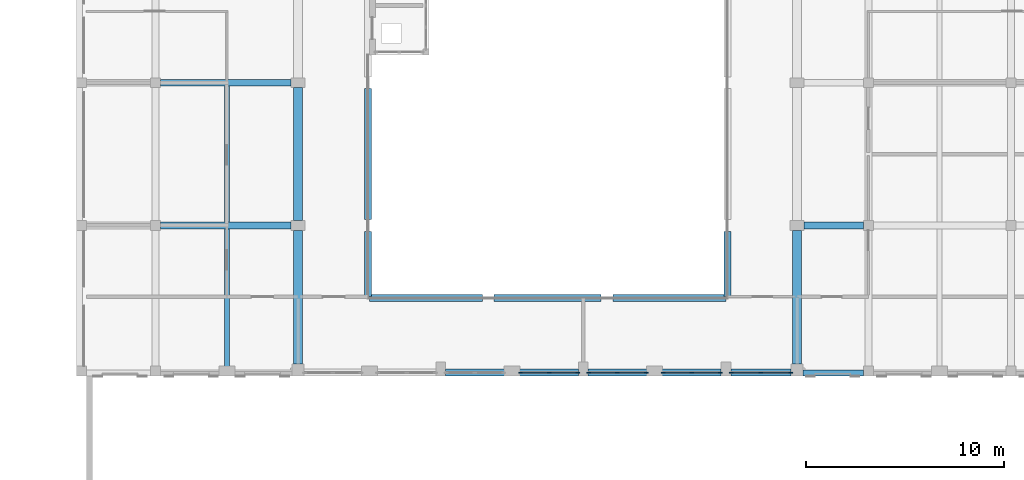
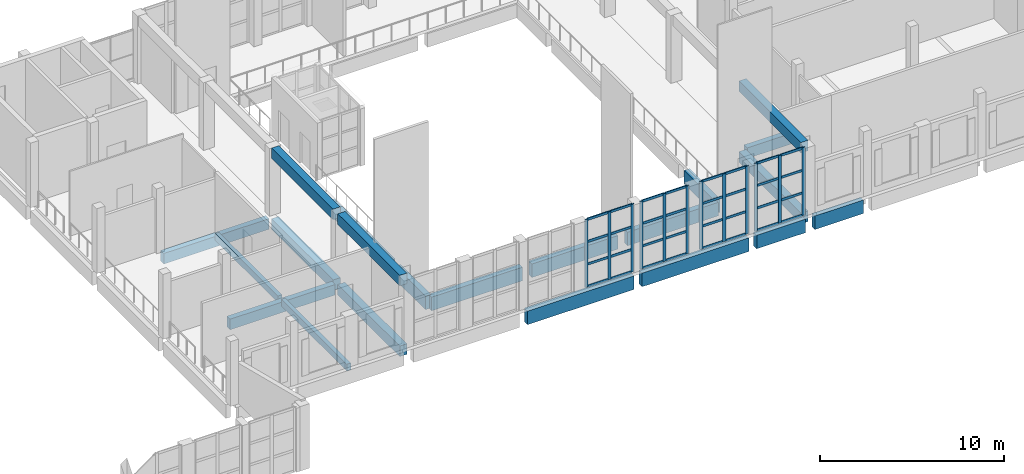
# One storey, part 5 of 54: 44 members, 21 beams, 4 elements without a shape of their own.
"""IFC4 building model written with IfcOpenShell, lengths in metres."""

import ifcopenshell
import ifcopenshell.guid

model = None  # the IFC model being written
_history = None  # IfcOwnerHistory: only IFC2X3 demands one
_inside = {}  # id of a spatial element -> (the spatial element, [elements in it])
_under = {}  # id of a project, library or spatial element -> (it, [spatial elements below it])
_declared = {}  # id of a project -> (the project, [libraries it declares])
_typed = {}  # id of a type object -> (the type object, [elements of that type])
_made_of = {}  # id of a material, layer set ... -> (it, [elements and type objects made of it])


def new_model(schema):
    """Start an empty IFC model of exactly this schema.

    Asked for "IFC4X3", IfcOpenShell would pick the latest addendum, in which some entities
    have other attributes; the version numbers below select the first issue.
    IFC2X3 requires an IfcOwnerHistory on every rooted entity: one is made here for all.
    """
    global model, _history
    if schema == "IFC4X3":
        model = ifcopenshell.file(schema_version=(4, 3, 0, 0))
    else:
        model = ifcopenshell.file(schema=schema)
    _inside.clear()
    _under.clear()
    _declared.clear()
    _typed.clear()
    _made_of.clear()
    _history = None
    if model.schema == "IFC2X3":
        org = make("IfcOrganization", Name="unknown")
        user = make(
            "IfcPersonAndOrganization",
            ThePerson=make("IfcPerson", FamilyName="unknown"),
            TheOrganization=org,
        )
        app = make(
            "IfcApplication",
            ApplicationDeveloper=org,
            Version="unknown",
            ApplicationFullName="unknown",
            ApplicationIdentifier="unknown",
        )
        _history = make(
            "IfcOwnerHistory",
            OwningUser=user,
            OwningApplication=app,
            ChangeAction="ADDED",
            CreationDate=0,
        )
    return model


def make(cls, **values):
    """One entity of the class cls with the attributes given. An attribute that is None is left unset."""
    return model.create_entity(
        cls, **{name: value for name, value in values.items() if value is not None}
    )


def rooted(cls, **values):
    """An entity with a GlobalId (a new one), such as an element, a storey or a relation."""
    return make(cls, GlobalId=ifcopenshell.guid.new(), OwnerHistory=_history, **values)


def si_unit(unit_type, name, prefix=None):
    """IfcSIUnit, for example si_unit("LENGTHUNIT", "METRE", prefix="MILLI")."""
    return make("IfcSIUnit", UnitType=unit_type, Prefix=prefix, Name=name)


def assignment(units):
    """IfcUnitAssignment: the units of a project."""
    return None if units is None else make("IfcUnitAssignment", Units=units)


def point(xyz):
    """IfcCartesianPoint."""
    return None if xyz is None else make("IfcCartesianPoint", Coordinates=xyz)


def direction(xyz):
    """IfcDirection."""
    return None if xyz is None else make("IfcDirection", DirectionRatios=xyz)


def frame(location, z_axis=None, x_axis=None):
    """IfcAxis2Placement3D, a coordinate frame: its origin and axes. An axis left out is left unset."""
    return make(
        "IfcAxis2Placement3D",
        Location=point(location),
        Axis=direction(z_axis),
        RefDirection=direction(x_axis),
    )


def frame_2d(location, x_axis=None):
    """IfcAxis2Placement2D, a coordinate frame in the plane: its origin and x axis."""
    return make(
        "IfcAxis2Placement2D", Location=point(location), RefDirection=direction(x_axis)
    )


def origin():
    """The frame at (0, 0, 0) with its axes left unset."""
    return frame((0.0, 0.0, 0.0))


def origin_2d():
    """The frame at (0, 0) in the plane with its x axis left unset."""
    return frame_2d((0.0, 0.0))


def place(relative_to, where):
    """IfcLocalPlacement: puts the frame where relative to a parent placement (None: the world)."""
    return make(
        "IfcLocalPlacement", PlacementRelTo=relative_to, RelativePlacement=where
    )


def context(
    kind, dimensions, precision=None, world=None, true_north=None, identifier=None
):
    """IfcGeometricRepresentationContext, for example the 3D "Model" context."""
    return make(
        "IfcGeometricRepresentationContext",
        ContextIdentifier=identifier,
        ContextType=kind,
        CoordinateSpaceDimension=dimensions,
        Precision=precision,
        WorldCoordinateSystem=world,
        TrueNorth=true_north,
    )


def subcontext(parent, identifier, kind, view, scale=None):
    """IfcGeometricRepresentationSubContext, for example "Body" below "Model"."""
    return make(
        "IfcGeometricRepresentationSubContext",
        ContextIdentifier=identifier,
        ContextType=kind,
        ParentContext=parent,
        TargetScale=scale,
        TargetView=view,
    )


def project(units=None, contexts=None):
    """IfcProject with its units and contexts."""
    return rooted(
        "IfcProject",
        Name="project",
        RepresentationContexts=contexts,
        UnitsInContext=assignment(units),
    )


def spatial(cls, under=None, at=None, **own):
    """A site, building, storey or space (cls), placed at a placement, below another one or the project."""
    s = rooted(cls, ObjectPlacement=at, **own)
    if under is not None:
        _under.setdefault(under.id(), (under, []))[1].append(s)
    return s


def profile(cls, at=None, kind="AREA", **sizes):
    """A parametric profile (cls). Its sizes go by their IFC names, for example OverallWidth=200.0."""
    return make(cls, ProfileType=kind, Position=at, **sizes)


def rectangle(**sizes):
    """IfcRectangleProfileDef."""
    return profile("IfcRectangleProfileDef", **sizes)


def extrude(swept, where, along, depth):
    """IfcExtrudedAreaSolid: the profile swept, set in the frame where, extruded along a direction by depth."""
    return make(
        "IfcExtrudedAreaSolid",
        SweptArea=swept,
        Position=where,
        ExtrudedDirection=direction(along),
        Depth=depth,
    )


def shape(context_of_items, identifier, shape_type, items):
    """IfcShapeRepresentation: the items that make up one representation, for example the "Body"."""
    return make(
        "IfcShapeRepresentation",
        ContextOfItems=context_of_items,
        RepresentationIdentifier=identifier,
        RepresentationType=shape_type,
        Items=items,
    )


def material(Name=None, Category=None):
    """IfcMaterial."""
    return make("IfcMaterial", Name=Name, Category=Category)


def layer(
    of_material, thickness, ventilated=None, Name=None, Category=None, Priority=None
):
    """IfcMaterialLayer: one layer of a wall or slab, of a material (None: an air gap)."""
    return make(
        "IfcMaterialLayer",
        Material=of_material,
        LayerThickness=thickness,
        IsVentilated=ventilated,
        Name=Name,
        Category=Category,
        Priority=Priority,
    )


def layer_set(layers, Name=None):
    """IfcMaterialLayerSet."""
    return make("IfcMaterialLayerSet", MaterialLayers=layers, LayerSetName=Name)


def material_profile(
    of_material, cross_section, Name=None, Category=None, Priority=None
):
    """IfcMaterialProfile: a cross section and its material."""
    return make(
        "IfcMaterialProfile",
        Name=Name,
        Material=of_material,
        Profile=cross_section,
        Priority=Priority,
        Category=Category,
    )


def profile_set(profiles, Name=None, composite=None):
    """IfcMaterialProfileSet."""
    return make(
        "IfcMaterialProfileSet",
        Name=Name,
        MaterialProfiles=profiles,
        CompositeProfile=composite,
    )


def made_of(thing, what):
    """Note that an element or type object is made of a material, layer set ...; save() writes the relation."""
    if what is not None:
        _made_of.setdefault(what.id(), (what, []))[1].append(thing)
    return thing


def type_object(cls, material=None, **own):
    """A type object (cls), such as IfcWallType, which elements share."""
    return made_of(rooted(cls, **own), material)


def element(
    cls,
    number,
    at=None,
    inside=None,
    cuts=None,
    type_object=None,
    material=None,
    context=None,
    identifier="Body",
    shape_type=None,
    held_by="IfcProductDefinitionShape",
    body=None,
    shapes=None,
    **own,
):
    """One element of the class cls, such as IfcWall. Its Tag is "e" and its number.

    at: its placement. inside: the storey or other place that contains it. cuts: it is an
    opening in that element (IfcRelVoidsElement). A single representation is given by context,
    identifier, shape_type and body (its items); several are given by shapes. held_by: the class
    of the entity that holds the representations. save() writes the other relations.
    """
    e = rooted(cls, Tag="e%d" % number, ObjectPlacement=at, **own)
    if body is not None:
        shapes = [shape(context, identifier, shape_type, body)]
    if shapes is not None:
        e.Representation = make(held_by, Representations=shapes)
    if inside is not None:
        _inside.setdefault(inside.id(), (inside, []))[1].append(e)
    if cuts is not None:
        rooted(
            "IfcRelVoidsElement", RelatingBuildingElement=cuts, RelatedOpeningElement=e
        )
    if type_object is not None:
        _typed.setdefault(type_object.id(), (type_object, []))[1].append(e)
    return made_of(e, material)


def aggregate(whole, parts):
    """IfcRelAggregates: a whole, such as a stair, and the parts it consists of."""
    return rooted("IfcRelAggregates", RelatingObject=whole, RelatedObjects=parts)


def save(model, path):
    """Write the relations noted so far, then the file.

    IfcRelAggregates (storeys below a building ...), IfcRelContainedInSpatialStructure (elements
    in a storey), IfcRelDefinesByType, IfcRelAssociatesMaterial and IfcRelDeclares: one each for
    every whole, place, type object, material and project.
    """
    for whole, parts in _under.values():
        aggregate(whole, parts)
    for where, things in _inside.values():
        rooted(
            "IfcRelContainedInSpatialStructure",
            RelatedElements=things,
            RelatingStructure=where,
        )
    for kind, things in _typed.values():
        rooted("IfcRelDefinesByType", RelatedObjects=things, RelatingType=kind)
    for what, things in _made_of.values():
        rooted("IfcRelAssociatesMaterial", RelatedObjects=things, RelatingMaterial=what)
    for by, libraries in _declared.values():
        rooted("IfcRelDeclares", RelatingContext=by, RelatedDefinitions=libraries)
    model.write(path)


model = new_model("IFC4")

# Units and contexts
model_context = context("Model", 3, precision=1e-05, world=origin(), true_north=direction((0.0, 1.0)))
body_context = subcontext(model_context, "Body", "Model", "MODEL_VIEW")
ifc_project = project(units=[si_unit("LENGTHUNIT", "METRE"), si_unit("AREAUNIT", "SQUARE_METRE"), si_unit("VOLUMEUNIT", "CUBIC_METRE"), si_unit("PLANEANGLEUNIT", "RADIAN"), si_unit("MASSUNIT", "GRAM", prefix="KILO")], contexts=[model_context])

# Site, building, storey
site_placement = place(None, origin())
site = spatial("IfcSite", under=ifc_project, at=site_placement, CompositionType="ELEMENT")
building_placement = place(site_placement, origin())
building = spatial("IfcBuilding", under=site, at=building_placement, Name="Ussher Court Research Institute", CompositionType="ELEMENT")
storey_placement = place(building_placement, frame((0.0, 0.0, 14.39990234375)))
storey = spatial("IfcBuildingStorey", under=building, at=storey_placement, Name="L03", CompositionType="ELEMENT", Elevation=14.39990234375)

# Curtain wall, members
ifc_material_1 = material(Name="Bronze anodised aluminium with low-e glass", Category="aluminium")
ifc_layer = layer(ifc_material_1, 0.159912109375)
ifc_layer_set = layer_set([ifc_layer], Name="Bronze anodised aluminium with low-e glass")
curtain_wall_type = type_object("IfcCurtainWallType", Name="Curtain wall atrium clerestory tall glazing", PredefinedType="NOTDEFINED", material=ifc_layer_set)
curtain_wall_1_placement = place(storey_placement, origin())
curtain_wall_1 = element("IfcCurtainWall", 1, at=curtain_wall_1_placement, inside=storey, type_object=curtain_wall_type, Name="Curtain wall CW3 L03", PredefinedType="NOTDEFINED")
ifc_material_2 = material(Name="Bronze anodised aluminium", Category="aluminium")
ifc_material_profile_1 = material_profile(ifc_material_2, rectangle(XDim=0.06005859375, YDim=0.199951171875, at=origin_2d()), Name="Mullion 60x200")
ifc_profile_set_1 = profile_set([ifc_material_profile_1], Name="Bronze anodised aluminium")
member_type_1 = type_object("IfcMemberType", Name="Mullion 60x200", PredefinedType="MULLION", material=ifc_profile_set_1)
member_1_placement = place(storey_placement, frame((63.8701171875, 10.949951171875, 0.0), z_axis=(0.0, 0.0, 1.0), x_axis=(0.0, -1.0, 0.0)))
member_1 = element("IfcMember", 2, at=member_1_placement, type_object=member_type_1, Name="CW3 mullion 1", PredefinedType="MULLION", context=body_context, shape_type="SweptSolid", body=[
    extrude(rectangle(XDim=0.06005859375, YDim=0.199951171875, at=origin_2d()), origin(), (0.0, 0.0, 1.0), 4.5),
])
member_2_placement = place(storey_placement, frame((62.375, 10.949951171875, 0.0), z_axis=(0.0, 0.0, 1.0), x_axis=(0.0, -1.0, 0.0)))
member_2 = element("IfcMember", 3, at=member_2_placement, type_object=member_type_1, Name="CW3 mullion 2", PredefinedType="MULLION", context=body_context, shape_type="SweptSolid", body=[
    extrude(rectangle(XDim=0.06005859375, YDim=0.199951171875, at=origin_2d()), origin(), (0.0, 0.0, 1.0), 4.5),
])
member_3_placement = place(storey_placement, frame((60.8798828125, 10.949951171875, 0.0), z_axis=(0.0, 0.0, 1.0), x_axis=(0.0, -1.0, 0.0)))
member_3 = element("IfcMember", 4, at=member_3_placement, type_object=member_type_1, Name="CW3 mullion 3", PredefinedType="MULLION", context=body_context, shape_type="SweptSolid", body=[
    extrude(rectangle(XDim=0.06005859375, YDim=0.199951171875, at=origin_2d()), origin(), (0.0, 0.0, 1.0), 4.5),
])

curtain_wall_2_placement = place(storey_placement, origin())
curtain_wall_2 = element("IfcCurtainWall", 5, at=curtain_wall_2_placement, inside=storey, type_object=curtain_wall_type, Name="Curtain wall CW3 L03", PredefinedType="NOTDEFINED")
member_4_placement = place(storey_placement, frame((60.320068359375, 10.949951171875, 0.0), z_axis=(0.0, 0.0, 1.0), x_axis=(0.0, -1.0, 0.0)))
member_4 = element("IfcMember", 6, at=member_4_placement, type_object=member_type_1, Name="CW3 mullion 1", PredefinedType="MULLION", context=body_context, shape_type="SweptSolid", body=[
    extrude(rectangle(XDim=0.06005859375, YDim=0.199951171875, at=origin_2d()), origin(), (0.0, 0.0, 1.0), 4.5),
])
member_5_placement = place(storey_placement, frame((58.875, 10.949951171875, 0.0), z_axis=(0.0, 0.0, 1.0), x_axis=(0.0, -1.0, 0.0)))
member_5 = element("IfcMember", 7, at=member_5_placement, type_object=member_type_1, Name="CW3 mullion 2", PredefinedType="MULLION", context=body_context, shape_type="SweptSolid", body=[
    extrude(rectangle(XDim=0.06005859375, YDim=0.199951171875, at=origin_2d()), origin(), (0.0, 0.0, 1.0), 4.5),
])
member_6_placement = place(storey_placement, frame((57.429931640625, 10.949951171875, 0.0), z_axis=(0.0, 0.0, 1.0), x_axis=(0.0, -1.0, 0.0)))
member_6 = element("IfcMember", 8, at=member_6_placement, type_object=member_type_1, Name="CW3 mullion 3", PredefinedType="MULLION", context=body_context, shape_type="SweptSolid", body=[
    extrude(rectangle(XDim=0.06005859375, YDim=0.199951171875, at=origin_2d()), origin(), (0.0, 0.0, 1.0), 4.5),
])

curtain_wall_3_placement = place(storey_placement, origin())
curtain_wall_3 = element("IfcCurtainWall", 9, at=curtain_wall_3_placement, inside=storey, type_object=curtain_wall_type, Name="Curtain wall CW3 L03", PredefinedType="NOTDEFINED")
member_7_placement = place(storey_placement, frame((56.570068359375, 10.949951171875, 0.0), z_axis=(0.0, 0.0, 1.0), x_axis=(0.0, -1.0, 0.0)))
member_7 = element("IfcMember", 10, at=member_7_placement, type_object=member_type_1, Name="CW3 mullion 1", PredefinedType="MULLION", context=body_context, shape_type="SweptSolid", body=[
    extrude(rectangle(XDim=0.06005859375, YDim=0.199951171875, at=origin_2d()), origin(), (0.0, 0.0, 1.0), 4.5),
])
member_8_placement = place(storey_placement, frame((55.125, 10.949951171875, 0.0), z_axis=(0.0, 0.0, 1.0), x_axis=(0.0, -1.0, 0.0)))
member_8 = element("IfcMember", 11, at=member_8_placement, type_object=member_type_1, Name="CW3 mullion 2", PredefinedType="MULLION", context=body_context, shape_type="SweptSolid", body=[
    extrude(rectangle(XDim=0.06005859375, YDim=0.199951171875, at=origin_2d()), origin(), (0.0, 0.0, 1.0), 4.5),
])
member_9_placement = place(storey_placement, frame((53.679931640625, 10.949951171875, 0.0), z_axis=(0.0, 0.0, 1.0), x_axis=(0.0, -1.0, 0.0)))
member_9 = element("IfcMember", 12, at=member_9_placement, type_object=member_type_1, Name="CW3 mullion 3", PredefinedType="MULLION", context=body_context, shape_type="SweptSolid", body=[
    extrude(rectangle(XDim=0.06005859375, YDim=0.199951171875, at=origin_2d()), origin(), (0.0, 0.0, 1.0), 4.5),
])

curtain_wall_4_placement = place(storey_placement, origin())
curtain_wall_4 = element("IfcCurtainWall", 13, at=curtain_wall_4_placement, inside=storey, type_object=curtain_wall_type, Name="Curtain wall CW3 L03", PredefinedType="NOTDEFINED")
member_10_placement = place(storey_placement, frame((53.1201171875, 10.949951171875, 0.0), z_axis=(0.0, 0.0, 1.0), x_axis=(0.0, -1.0, 0.0)))
member_10 = element("IfcMember", 14, at=member_10_placement, type_object=member_type_1, Name="CW3 mullion 1", PredefinedType="MULLION", context=body_context, shape_type="SweptSolid", body=[
    extrude(rectangle(XDim=0.06005859375, YDim=0.199951171875, at=origin_2d()), origin(), (0.0, 0.0, 1.0), 4.5),
])
member_11_placement = place(storey_placement, frame((51.675048828125, 10.949951171875, 0.0), z_axis=(0.0, 0.0, 1.0), x_axis=(0.0, -1.0, 0.0)))
member_11 = element("IfcMember", 15, at=member_11_placement, type_object=member_type_1, Name="CW3 mullion 2", PredefinedType="MULLION", context=body_context, shape_type="SweptSolid", body=[
    extrude(rectangle(XDim=0.06005859375, YDim=0.199951171875, at=origin_2d()), origin(), (0.0, 0.0, 1.0), 4.5),
])
member_12_placement = place(storey_placement, frame((50.22998046875, 10.949951171875, 0.0), z_axis=(0.0, 0.0, 1.0), x_axis=(0.0, -1.0, 0.0)))
member_12 = element("IfcMember", 16, at=member_12_placement, type_object=member_type_1, Name="CW3 mullion 3", PredefinedType="MULLION", context=body_context, shape_type="SweptSolid", body=[
    extrude(rectangle(XDim=0.06005859375, YDim=0.199951171875, at=origin_2d()), origin(), (0.0, 0.0, 1.0), 4.5),
])

# Beams
ifc_material_3 = material(Name="Concrete C35/45", Category="concrete")
ifc_material_profile_2 = material_profile(ifc_material_3, rectangle(XDim=0.25, YDim=0.449951171875, at=origin_2d()), Name="RC 250x450")
ifc_profile_set_2 = profile_set([ifc_material_profile_2], Name="Concrete C35/45")
beam_type_1 = type_object("IfcBeamType", Name="RC 250x450 beam", PredefinedType="BEAM", material=ifc_profile_set_2)
beam_1_placement = place(storey_placement, frame((35.39990234375, 11.10009765625, -0.224853515625), z_axis=(0.0, 1.0, 0.0), x_axis=(-1.0, 0.0, 0.0)))
element("IfcBeam", 17, at=beam_1_placement, inside=storey, type_object=beam_type_1, Name="B1 V7 L03-01", PredefinedType="BEAM", context=body_context, shape_type="SweptSolid", body=[
    extrude(rectangle(XDim=0.25, YDim=0.449951171875, at=origin_2d()), origin(), (0.0, 0.0, 1.0), 7.125),
])
beam_2_placement = place(storey_placement, frame((35.39990234375, 18.574951171875, -0.224853515625), z_axis=(0.0, 1.0, 0.0), x_axis=(-1.0, 0.0, 0.0)))
element("IfcBeam", 18, at=beam_2_placement, inside=storey, type_object=beam_type_1, Name="B1 V7 L03-02", PredefinedType="BEAM", context=body_context, shape_type="SweptSolid", body=[
    extrude(rectangle(XDim=0.25, YDim=0.449951171875, at=origin_2d()), origin(), (0.0, 0.0, 1.0), 6.85009765625),
])
ifc_material_4 = material(Name="Concrete C35/45", Category="concrete")
ifc_material_profile_3 = material_profile(ifc_material_4, rectangle(XDim=0.300048828125, YDim=0.89990234375, at=origin_2d()), Name="RC 300x900")
ifc_profile_set_3 = profile_set([ifc_material_profile_3], Name="Concrete C35/45")
beam_type_2 = type_object("IfcBeamType", Name="RC 300x900 beam", PredefinedType="BEAM", material=ifc_profile_set_3)
beam_3_placement = place(storey_placement, frame((64.5, 10.949951171875, -0.64990234375), z_axis=(1.0, 0.0, 0.0), x_axis=(0.0, 1.0, 0.0)))
element("IfcBeam", 19, at=beam_3_placement, inside=storey, type_object=beam_type_2, Name="SB2 V7 L03-03", PredefinedType="BEAM", context=body_context, shape_type="SweptSolid", body=[
    extrude(rectangle(XDim=0.300048828125, YDim=0.89990234375, at=origin_2d()), origin(), (0.0, 0.0, 1.0), 3.050048828125),
])
ifc_material_5 = material(Name="Concrete C35/45", Category="concrete")
ifc_material_profile_4 = material_profile(ifc_material_5, rectangle(XDim=0.35009765625, YDim=0.699951171875, at=origin_2d()), Name="RC 350x700")
ifc_profile_set_4 = profile_set([ifc_material_profile_4], Name="Concrete C35/45")
beam_type_3 = type_object("IfcBeamType", Name="RC 350x700 beam", PredefinedType="BEAM", material=ifc_profile_set_4)
beam_4_placement = place(storey_placement, frame((32.050048828125, 18.39990234375, -0.5498046875), z_axis=(1.0, 0.0, 0.0), x_axis=(0.0, 1.0, 0.0)))
element("IfcBeam", 20, at=beam_4_placement, inside=storey, type_object=beam_type_3, Name="B16 V7 L03-02", PredefinedType="BEAM", context=body_context, shape_type="SweptSolid", body=[
    extrude(rectangle(XDim=0.35009765625, YDim=0.699951171875, at=origin_2d()), origin(), (0.0, 0.0, 1.0), 6.599853515625),
])
beam_5_placement = place(storey_placement, frame((64.550048828125, 18.39990234375, -0.5498046875), z_axis=(1.0, 0.0, 0.0), x_axis=(0.0, 1.0, 0.0)))
element("IfcBeam", 21, at=beam_5_placement, inside=storey, type_object=beam_type_3, Name="B16 V7 L03-03", PredefinedType="BEAM", context=body_context, shape_type="SweptSolid", body=[
    extrude(rectangle(XDim=0.35009765625, YDim=0.699951171875, at=origin_2d()), origin(), (0.0, 0.0, 1.0), 3.0),
])
beam_6_placement = place(storey_placement, frame((32.050048828125, 25.60009765625, -0.5498046875), z_axis=(1.0, 0.0, 0.0), x_axis=(0.0, 1.0, 0.0)))
element("IfcBeam", 22, at=beam_6_placement, inside=storey, type_object=beam_type_3, Name="B16 V7 L03-07", PredefinedType="BEAM", context=body_context, shape_type="SweptSolid", body=[
    extrude(rectangle(XDim=0.35009765625, YDim=0.699951171875, at=origin_2d()), origin(), (0.0, 0.0, 1.0), 6.599853515625),
])
ifc_material_6 = material(Name="Concrete C35/45", Category="concrete")
ifc_material_profile_5 = material_profile(ifc_material_6, rectangle(XDim=0.35009765625, YDim=0.89990234375, at=origin_2d()), Name="RC 350x900")
ifc_profile_set_5 = profile_set([ifc_material_profile_5], Name="Concrete C35/45")
beam_type_4 = type_object("IfcBeamType", Name="RC 350x900 beam", PredefinedType="BEAM", material=ifc_profile_set_5)
beam_7_placement = place(storey_placement, frame((46.449951171875, 10.97509765625, -0.64990234375), z_axis=(1.0, 0.0, 0.0), x_axis=(0.0, 1.0, 0.0)))
element("IfcBeam", 23, at=beam_7_placement, inside=storey, type_object=beam_type_4, Name="SB1 V2 L03-02", PredefinedType="BEAM", context=body_context, shape_type="SweptSolid", body=[
    extrude(rectangle(XDim=0.35009765625, YDim=0.89990234375, at=origin_2d()), origin(), (0.0, 0.0, 1.0), 6.699951171875),
])
beam_8_placement = place(storey_placement, frame((53.64990234375, 10.97509765625, -0.64990234375), z_axis=(1.0, 0.0, 0.0), x_axis=(0.0, 1.0, 0.0)))
element("IfcBeam", 24, at=beam_8_placement, inside=storey, type_object=beam_type_4, Name="SB1 V2 L03-03", PredefinedType="BEAM", context=body_context, shape_type="SweptSolid", body=[
    extrude(rectangle(XDim=0.35009765625, YDim=0.89990234375, at=origin_2d()), origin(), (0.0, 0.0, 1.0), 6.7001953125),
])
beam_9_placement = place(storey_placement, frame((60.85009765625, 10.97509765625, -0.64990234375), z_axis=(1.0, 0.0, 0.0), x_axis=(0.0, 1.0, 0.0)))
element("IfcBeam", 25, at=beam_9_placement, inside=storey, type_object=beam_type_4, Name="SB1 V2 L03-04", PredefinedType="BEAM", context=body_context, shape_type="SweptSolid", body=[
    extrude(rectangle(XDim=0.35009765625, YDim=0.89990234375, at=origin_2d()), origin(), (0.0, 0.0, 1.0), 3.0498046875),
])
beam_10_placement = place(storey_placement, frame((42.52490234375, 14.800048828125, -0.64990234375), z_axis=(0.0, 1.0, 0.0), x_axis=(-1.0, 0.0, 0.0)))
element("IfcBeam", 26, at=beam_10_placement, inside=storey, type_object=beam_type_4, Name="SB1 V2 L03-09", PredefinedType="BEAM", context=body_context, shape_type="SweptSolid", body=[
    extrude(rectangle(XDim=0.35009765625, YDim=0.89990234375, at=origin_2d()), origin(), (0.0, 0.0, 1.0), 3.300048828125),
])
beam_11_placement = place(storey_placement, frame((42.52490234375, 18.699951171875, -0.64990234375), z_axis=(0.0, 1.0, 0.0), x_axis=(-1.0, 0.0, 0.0)))
element("IfcBeam", 27, at=beam_11_placement, inside=storey, type_object=beam_type_4, Name="SB1 V2 L03-10", PredefinedType="BEAM", context=body_context, shape_type="SweptSolid", body=[
    extrude(rectangle(XDim=0.35009765625, YDim=0.89990234375, at=origin_2d()), origin(), (0.0, 0.0, 1.0), 6.60009765625),
])
beam_12_placement = place(storey_placement, frame((60.675048828125, 14.800048828125, -0.64990234375), z_axis=(0.0, 1.0, 0.0), x_axis=(-1.0, 0.0, 0.0)))
element("IfcBeam", 28, at=beam_12_placement, inside=storey, type_object=beam_type_4, Name="SB1 V2 L03-13", PredefinedType="BEAM", context=body_context, shape_type="SweptSolid", body=[
    extrude(rectangle(XDim=0.35009765625, YDim=0.89990234375, at=origin_2d()), origin(), (0.0, 0.0, 1.0), 3.300048828125),
])
beam_13_placement = place(storey_placement, frame((42.60009765625, 14.72509765625, -0.64990234375), z_axis=(1.0, 0.0, 0.0), x_axis=(0.0, 1.0, 0.0)))
element("IfcBeam", 29, at=beam_13_placement, inside=storey, type_object=beam_type_4, Name="SB1 V2 L03-17", PredefinedType="BEAM", context=body_context, shape_type="SweptSolid", body=[
    extrude(rectangle(XDim=0.35009765625, YDim=0.89990234375, at=origin_2d()), origin(), (0.0, 0.0, 1.0), 5.699951171875),
])
beam_14_placement = place(storey_placement, frame((48.89990234375, 14.72509765625, -0.64990234375), z_axis=(1.0, 0.0, 0.0), x_axis=(0.0, 1.0, 0.0)))
element("IfcBeam", 30, at=beam_14_placement, inside=storey, type_object=beam_type_4, Name="SB1 V2 L03-18", PredefinedType="BEAM", context=body_context, shape_type="SweptSolid", body=[
    extrude(rectangle(XDim=0.35009765625, YDim=0.89990234375, at=origin_2d()), origin(), (0.0, 0.0, 1.0), 5.400146484375),
])
beam_15_placement = place(storey_placement, frame((54.89990234375, 14.72509765625, -0.64990234375), z_axis=(1.0, 0.0, 0.0), x_axis=(0.0, 1.0, 0.0)))
element("IfcBeam", 31, at=beam_15_placement, inside=storey, type_object=beam_type_4, Name="SB1 V2 L03-19", PredefinedType="BEAM", context=body_context, shape_type="SweptSolid", body=[
    extrude(rectangle(XDim=0.35009765625, YDim=0.89990234375, at=origin_2d()), origin(), (0.0, 0.0, 1.0), 5.7001953125),
])
ifc_material_7 = material(Name="Concrete C35/45", Category="concrete")
ifc_material_profile_6 = material_profile(ifc_material_7, rectangle(XDim=0.449951171875, YDim=0.699951171875, at=origin_2d()), Name="RC 450x700")
ifc_profile_set_6 = profile_set([ifc_material_profile_6], Name="Concrete C35/45")
beam_type_5 = type_object("IfcBeamType", Name="RC 450x700 beam", PredefinedType="BEAM", material=ifc_profile_set_6)
beam_16_placement = place(storey_placement, frame((39.0, 11.39990234375, -0.5498046875), z_axis=(0.0, 1.0, 0.0), x_axis=(-1.0, 0.0, 0.0)))
element("IfcBeam", 32, at=beam_16_placement, inside=storey, type_object=beam_type_5, Name="B10 V2 L03-01", PredefinedType="BEAM", context=body_context, shape_type="SweptSolid", body=[
    extrude(rectangle(XDim=0.449951171875, YDim=0.699951171875, at=origin_2d()), origin(), (0.0, 0.0, 1.0), 6.75),
])
beam_17_placement = place(storey_placement, frame((39.0, 18.64990234375, -0.5498046875), z_axis=(0.0, 1.0, 0.0), x_axis=(-1.0, 0.0, 0.0)))
element("IfcBeam", 33, at=beam_17_placement, inside=storey, type_object=beam_type_5, Name="B10 V2 L03-02", PredefinedType="BEAM", context=body_context, shape_type="SweptSolid", body=[
    extrude(rectangle(XDim=0.449951171875, YDim=0.699951171875, at=origin_2d()), origin(), (0.0, 0.0, 1.0), 6.7001953125),
])
for number, where, z_axis, x_axis, name in (
    (34, (64.199951171875, 11.39990234375, -0.5498046875), (0.0, 1.0, 0.0), (-1.0, 0.0, 0.0), "B10 V2 L03-05"),
    (35, (39.0, 11.39990234375, 4.150146484375), (0.0, 1.0, 0.0), (-1.0, 0.0, 0.0), "B10 V2 L03-09"),
):
    element("IfcBeam", number, at=place(storey_placement, frame(where, z_axis=z_axis, x_axis=x_axis)), inside=storey, type_object=beam_type_5, Name=name, PredefinedType="BEAM", context=body_context, shape_type="SweptSolid", body=[
        extrude(rectangle(XDim=0.449951171875, YDim=0.699951171875, at=origin_2d()), origin(), (0.0, 0.0, 1.0), 6.75),
    ])
beam_18_placement = place(storey_placement, frame((39.0, 18.64990234375, 4.150146484375), z_axis=(0.0, 1.0, 0.0), x_axis=(-1.0, 0.0, 0.0)))
element("IfcBeam", 36, at=beam_18_placement, inside=storey, type_object=beam_type_5, Name="B10 V2 L03-10", PredefinedType="BEAM", context=body_context, shape_type="SweptSolid", body=[
    extrude(rectangle(XDim=0.449951171875, YDim=0.699951171875, at=origin_2d()), origin(), (0.0, 0.0, 1.0), 6.7001953125),
])
beam_19_placement = place(storey_placement, frame((64.199951171875, 11.39990234375, 4.150146484375), z_axis=(0.0, 1.0, 0.0), x_axis=(-1.0, 0.0, 0.0)))
element("IfcBeam", 37, at=beam_19_placement, inside=storey, type_object=beam_type_5, Name="B10 V2 L03-13", PredefinedType="BEAM", context=body_context, shape_type="SweptSolid", body=[
    extrude(rectangle(XDim=0.449951171875, YDim=0.699951171875, at=origin_2d()), origin(), (0.0, 0.0, 1.0), 6.75),
])

# Member
ifc_material_8 = material(Name="Bronze anodised aluminium", Category="aluminium")
ifc_material_profile_7 = material_profile(ifc_material_8, rectangle(XDim=0.06005859375, YDim=0.159912109375, at=origin_2d()), Name="Transom 60x160")
ifc_profile_set_7 = profile_set([ifc_material_profile_7], Name="Bronze anodised aluminium")
member_type_2 = type_object("IfcMemberType", Name="Transom 60x160", PredefinedType="USERDEFINED", material=ifc_profile_set_7)
member_13_placement = place(storey_placement, frame((63.840087890625, 10.949951171875, 0.030029296875), z_axis=(-1.0, 0.0, 0.0), x_axis=(0.0, -1.0, 0.0)))
member_13 = element("IfcMember", 38, at=member_13_placement, type_object=member_type_2, Name="CW3 transom 1.1", ObjectType="TRANSOM", PredefinedType="USERDEFINED", context=body_context, shape_type="SweptSolid", body=[
    extrude(rectangle(XDim=0.06005859375, YDim=0.159912109375, at=origin_2d()), origin(), (0.0, 0.0, 1.0), 1.43505859375),
])

member_14_placement = place(storey_placement, frame((63.840087890625, 10.949951171875, 1.5), z_axis=(-1.0, 0.0, 0.0), x_axis=(0.0, -1.0, 0.0)))
member_14 = element("IfcMember", 39, at=member_14_placement, type_object=member_type_2, Name="CW3 transom 1.2", ObjectType="TRANSOM", PredefinedType="USERDEFINED", context=body_context, shape_type="SweptSolid", body=[
    extrude(rectangle(XDim=0.06005859375, YDim=0.159912109375, at=origin_2d()), origin(), (0.0, 0.0, 1.0), 1.43505859375),
])

member_15_placement = place(storey_placement, frame((63.840087890625, 10.949951171875, 3.0), z_axis=(-1.0, 0.0, 0.0), x_axis=(0.0, -1.0, 0.0)))
member_15 = element("IfcMember", 40, at=member_15_placement, type_object=member_type_2, Name="CW3 transom 1.3", ObjectType="TRANSOM", PredefinedType="USERDEFINED", context=body_context, shape_type="SweptSolid", body=[
    extrude(rectangle(XDim=0.06005859375, YDim=0.159912109375, at=origin_2d()), origin(), (0.0, 0.0, 1.0), 1.43505859375),
])

member_16_placement = place(storey_placement, frame((63.840087890625, 10.949951171875, 4.47021484375), z_axis=(-1.0, 0.0, 0.0), x_axis=(0.0, -1.0, 0.0)))
member_16 = element("IfcMember", 41, at=member_16_placement, type_object=member_type_2, Name="CW3 transom 1.4", ObjectType="TRANSOM", PredefinedType="USERDEFINED", context=body_context, shape_type="SweptSolid", body=[
    extrude(rectangle(XDim=0.06005859375, YDim=0.159912109375, at=origin_2d()), origin(), (0.0, 0.0, 1.0), 1.43505859375),
])

member_17_placement = place(storey_placement, frame((62.344970703125, 10.949951171875, 0.030029296875), z_axis=(-1.0, 0.0, 0.0), x_axis=(0.0, -1.0, 0.0)))
member_17 = element("IfcMember", 42, at=member_17_placement, type_object=member_type_2, Name="CW3 transom 2.1", ObjectType="TRANSOM", PredefinedType="USERDEFINED", context=body_context, shape_type="SweptSolid", body=[
    extrude(rectangle(XDim=0.06005859375, YDim=0.159912109375, at=origin_2d()), origin(), (0.0, 0.0, 1.0), 1.43505859375),
])

member_18_placement = place(storey_placement, frame((62.344970703125, 10.949951171875, 1.5), z_axis=(-1.0, 0.0, 0.0), x_axis=(0.0, -1.0, 0.0)))
member_18 = element("IfcMember", 43, at=member_18_placement, type_object=member_type_2, Name="CW3 transom 2.2", ObjectType="TRANSOM", PredefinedType="USERDEFINED", context=body_context, shape_type="SweptSolid", body=[
    extrude(rectangle(XDim=0.06005859375, YDim=0.159912109375, at=origin_2d()), origin(), (0.0, 0.0, 1.0), 1.43505859375),
])

member_19_placement = place(storey_placement, frame((62.344970703125, 10.949951171875, 3.0), z_axis=(-1.0, 0.0, 0.0), x_axis=(0.0, -1.0, 0.0)))
member_19 = element("IfcMember", 44, at=member_19_placement, type_object=member_type_2, Name="CW3 transom 2.3", ObjectType="TRANSOM", PredefinedType="USERDEFINED", context=body_context, shape_type="SweptSolid", body=[
    extrude(rectangle(XDim=0.06005859375, YDim=0.159912109375, at=origin_2d()), origin(), (0.0, 0.0, 1.0), 1.43505859375),
])

member_20_placement = place(storey_placement, frame((62.344970703125, 10.949951171875, 4.47021484375), z_axis=(-1.0, 0.0, 0.0), x_axis=(0.0, -1.0, 0.0)))
member_20 = element("IfcMember", 45, at=member_20_placement, type_object=member_type_2, Name="CW3 transom 2.4", ObjectType="TRANSOM", PredefinedType="USERDEFINED", context=body_context, shape_type="SweptSolid", body=[
    extrude(rectangle(XDim=0.06005859375, YDim=0.159912109375, at=origin_2d()), origin(), (0.0, 0.0, 1.0), 1.43505859375),
])

aggregate(curtain_wall_1, [member_1, member_2, member_3, member_13, member_14, member_15, member_16, member_17, member_18, member_19, member_20])

member_21_placement = place(storey_placement, frame((60.2900390625, 10.949951171875, 0.030029296875), z_axis=(-1.0, 0.0, 0.0), x_axis=(0.0, -1.0, 0.0)))
member_21 = element("IfcMember", 46, at=member_21_placement, type_object=member_type_2, Name="CW3 transom 1.1", ObjectType="TRANSOM", PredefinedType="USERDEFINED", context=body_context, shape_type="SweptSolid", body=[
    extrude(rectangle(XDim=0.06005859375, YDim=0.159912109375, at=origin_2d()), origin(), (0.0, 0.0, 1.0), 1.385009765625),
])

member_22_placement = place(storey_placement, frame((60.2900390625, 10.949951171875, 1.5), z_axis=(-1.0, 0.0, 0.0), x_axis=(0.0, -1.0, 0.0)))
member_22 = element("IfcMember", 47, at=member_22_placement, type_object=member_type_2, Name="CW3 transom 1.2", ObjectType="TRANSOM", PredefinedType="USERDEFINED", context=body_context, shape_type="SweptSolid", body=[
    extrude(rectangle(XDim=0.06005859375, YDim=0.159912109375, at=origin_2d()), origin(), (0.0, 0.0, 1.0), 1.385009765625),
])

member_23_placement = place(storey_placement, frame((60.2900390625, 10.949951171875, 3.0), z_axis=(-1.0, 0.0, 0.0), x_axis=(0.0, -1.0, 0.0)))
member_23 = element("IfcMember", 48, at=member_23_placement, type_object=member_type_2, Name="CW3 transom 1.3", ObjectType="TRANSOM", PredefinedType="USERDEFINED", context=body_context, shape_type="SweptSolid", body=[
    extrude(rectangle(XDim=0.06005859375, YDim=0.159912109375, at=origin_2d()), origin(), (0.0, 0.0, 1.0), 1.385009765625),
])

member_24_placement = place(storey_placement, frame((60.2900390625, 10.949951171875, 4.47021484375), z_axis=(-1.0, 0.0, 0.0), x_axis=(0.0, -1.0, 0.0)))
member_24 = element("IfcMember", 49, at=member_24_placement, type_object=member_type_2, Name="CW3 transom 1.4", ObjectType="TRANSOM", PredefinedType="USERDEFINED", context=body_context, shape_type="SweptSolid", body=[
    extrude(rectangle(XDim=0.06005859375, YDim=0.159912109375, at=origin_2d()), origin(), (0.0, 0.0, 1.0), 1.385009765625),
])

member_25_placement = place(storey_placement, frame((58.844970703125, 10.949951171875, 0.030029296875), z_axis=(-1.0, 0.0, 0.0), x_axis=(0.0, -1.0, 0.0)))
member_25 = element("IfcMember", 50, at=member_25_placement, type_object=member_type_2, Name="CW3 transom 2.1", ObjectType="TRANSOM", PredefinedType="USERDEFINED", context=body_context, shape_type="SweptSolid", body=[
    extrude(rectangle(XDim=0.06005859375, YDim=0.159912109375, at=origin_2d()), origin(), (0.0, 0.0, 1.0), 1.385009765625),
])

member_26_placement = place(storey_placement, frame((58.844970703125, 10.949951171875, 1.5), z_axis=(-1.0, 0.0, 0.0), x_axis=(0.0, -1.0, 0.0)))
member_26 = element("IfcMember", 51, at=member_26_placement, type_object=member_type_2, Name="CW3 transom 2.2", ObjectType="TRANSOM", PredefinedType="USERDEFINED", context=body_context, shape_type="SweptSolid", body=[
    extrude(rectangle(XDim=0.06005859375, YDim=0.159912109375, at=origin_2d()), origin(), (0.0, 0.0, 1.0), 1.385009765625),
])

member_27_placement = place(storey_placement, frame((58.844970703125, 10.949951171875, 3.0), z_axis=(-1.0, 0.0, 0.0), x_axis=(0.0, -1.0, 0.0)))
member_27 = element("IfcMember", 52, at=member_27_placement, type_object=member_type_2, Name="CW3 transom 2.3", ObjectType="TRANSOM", PredefinedType="USERDEFINED", context=body_context, shape_type="SweptSolid", body=[
    extrude(rectangle(XDim=0.06005859375, YDim=0.159912109375, at=origin_2d()), origin(), (0.0, 0.0, 1.0), 1.385009765625),
])

member_28_placement = place(storey_placement, frame((58.844970703125, 10.949951171875, 4.47021484375), z_axis=(-1.0, 0.0, 0.0), x_axis=(0.0, -1.0, 0.0)))
member_28 = element("IfcMember", 53, at=member_28_placement, type_object=member_type_2, Name="CW3 transom 2.4", ObjectType="TRANSOM", PredefinedType="USERDEFINED", context=body_context, shape_type="SweptSolid", body=[
    extrude(rectangle(XDim=0.06005859375, YDim=0.159912109375, at=origin_2d()), origin(), (0.0, 0.0, 1.0), 1.385009765625),
])

aggregate(curtain_wall_2, [member_4, member_5, member_6, member_21, member_22, member_23, member_24, member_25, member_26, member_27, member_28])

member_29_placement = place(storey_placement, frame((56.5400390625, 10.949951171875, 0.030029296875), z_axis=(-1.0, 0.0, 0.0), x_axis=(0.0, -1.0, 0.0)))
member_29 = element("IfcMember", 54, at=member_29_placement, type_object=member_type_2, Name="CW3 transom 1.1", ObjectType="TRANSOM", PredefinedType="USERDEFINED", context=body_context, shape_type="SweptSolid", body=[
    extrude(rectangle(XDim=0.06005859375, YDim=0.159912109375, at=origin_2d()), origin(), (0.0, 0.0, 1.0), 1.385009765625),
])

member_30_placement = place(storey_placement, frame((56.5400390625, 10.949951171875, 1.5), z_axis=(-1.0, 0.0, 0.0), x_axis=(0.0, -1.0, 0.0)))
member_30 = element("IfcMember", 55, at=member_30_placement, type_object=member_type_2, Name="CW3 transom 1.2", ObjectType="TRANSOM", PredefinedType="USERDEFINED", context=body_context, shape_type="SweptSolid", body=[
    extrude(rectangle(XDim=0.06005859375, YDim=0.159912109375, at=origin_2d()), origin(), (0.0, 0.0, 1.0), 1.385009765625),
])

member_31_placement = place(storey_placement, frame((56.5400390625, 10.949951171875, 3.0), z_axis=(-1.0, 0.0, 0.0), x_axis=(0.0, -1.0, 0.0)))
member_31 = element("IfcMember", 56, at=member_31_placement, type_object=member_type_2, Name="CW3 transom 1.3", ObjectType="TRANSOM", PredefinedType="USERDEFINED", context=body_context, shape_type="SweptSolid", body=[
    extrude(rectangle(XDim=0.06005859375, YDim=0.159912109375, at=origin_2d()), origin(), (0.0, 0.0, 1.0), 1.385009765625),
])

member_32_placement = place(storey_placement, frame((56.5400390625, 10.949951171875, 4.47021484375), z_axis=(-1.0, 0.0, 0.0), x_axis=(0.0, -1.0, 0.0)))
member_32 = element("IfcMember", 57, at=member_32_placement, type_object=member_type_2, Name="CW3 transom 1.4", ObjectType="TRANSOM", PredefinedType="USERDEFINED", context=body_context, shape_type="SweptSolid", body=[
    extrude(rectangle(XDim=0.06005859375, YDim=0.159912109375, at=origin_2d()), origin(), (0.0, 0.0, 1.0), 1.385009765625),
])

member_33_placement = place(storey_placement, frame((55.094970703125, 10.949951171875, 0.030029296875), z_axis=(-1.0, 0.0, 0.0), x_axis=(0.0, -1.0, 0.0)))
member_33 = element("IfcMember", 58, at=member_33_placement, type_object=member_type_2, Name="CW3 transom 2.1", ObjectType="TRANSOM", PredefinedType="USERDEFINED", context=body_context, shape_type="SweptSolid", body=[
    extrude(rectangle(XDim=0.06005859375, YDim=0.159912109375, at=origin_2d()), origin(), (0.0, 0.0, 1.0), 1.385009765625),
])

member_34_placement = place(storey_placement, frame((55.094970703125, 10.949951171875, 1.5), z_axis=(-1.0, 0.0, 0.0), x_axis=(0.0, -1.0, 0.0)))
member_34 = element("IfcMember", 59, at=member_34_placement, type_object=member_type_2, Name="CW3 transom 2.2", ObjectType="TRANSOM", PredefinedType="USERDEFINED", context=body_context, shape_type="SweptSolid", body=[
    extrude(rectangle(XDim=0.06005859375, YDim=0.159912109375, at=origin_2d()), origin(), (0.0, 0.0, 1.0), 1.385009765625),
])

member_35_placement = place(storey_placement, frame((55.094970703125, 10.949951171875, 3.0), z_axis=(-1.0, 0.0, 0.0), x_axis=(0.0, -1.0, 0.0)))
member_35 = element("IfcMember", 60, at=member_35_placement, type_object=member_type_2, Name="CW3 transom 2.3", ObjectType="TRANSOM", PredefinedType="USERDEFINED", context=body_context, shape_type="SweptSolid", body=[
    extrude(rectangle(XDim=0.06005859375, YDim=0.159912109375, at=origin_2d()), origin(), (0.0, 0.0, 1.0), 1.385009765625),
])

member_36_placement = place(storey_placement, frame((55.094970703125, 10.949951171875, 4.47021484375), z_axis=(-1.0, 0.0, 0.0), x_axis=(0.0, -1.0, 0.0)))
member_36 = element("IfcMember", 61, at=member_36_placement, type_object=member_type_2, Name="CW3 transom 2.4", ObjectType="TRANSOM", PredefinedType="USERDEFINED", context=body_context, shape_type="SweptSolid", body=[
    extrude(rectangle(XDim=0.06005859375, YDim=0.159912109375, at=origin_2d()), origin(), (0.0, 0.0, 1.0), 1.385009765625),
])

aggregate(curtain_wall_3, [member_7, member_8, member_9, member_29, member_30, member_31, member_32, member_33, member_34, member_35, member_36])

member_37_placement = place(storey_placement, frame((53.090087890625, 10.949951171875, 0.030029296875), z_axis=(-1.0, 0.0, 0.0), x_axis=(0.0, -1.0, 0.0)))
member_37 = element("IfcMember", 62, at=member_37_placement, type_object=member_type_2, Name="CW3 transom 1.1", ObjectType="TRANSOM", PredefinedType="USERDEFINED", context=body_context, shape_type="SweptSolid", body=[
    extrude(rectangle(XDim=0.06005859375, YDim=0.159912109375, at=origin_2d()), origin(), (0.0, 0.0, 1.0), 1.385009765625),
])

member_38_placement = place(storey_placement, frame((53.090087890625, 10.949951171875, 1.5), z_axis=(-1.0, 0.0, 0.0), x_axis=(0.0, -1.0, 0.0)))
member_38 = element("IfcMember", 63, at=member_38_placement, type_object=member_type_2, Name="CW3 transom 1.2", ObjectType="TRANSOM", PredefinedType="USERDEFINED", context=body_context, shape_type="SweptSolid", body=[
    extrude(rectangle(XDim=0.06005859375, YDim=0.159912109375, at=origin_2d()), origin(), (0.0, 0.0, 1.0), 1.385009765625),
])

member_39_placement = place(storey_placement, frame((53.090087890625, 10.949951171875, 3.0), z_axis=(-1.0, 0.0, 0.0), x_axis=(0.0, -1.0, 0.0)))
member_39 = element("IfcMember", 64, at=member_39_placement, type_object=member_type_2, Name="CW3 transom 1.3", ObjectType="TRANSOM", PredefinedType="USERDEFINED", context=body_context, shape_type="SweptSolid", body=[
    extrude(rectangle(XDim=0.06005859375, YDim=0.159912109375, at=origin_2d()), origin(), (0.0, 0.0, 1.0), 1.385009765625),
])

member_40_placement = place(storey_placement, frame((53.090087890625, 10.949951171875, 4.47021484375), z_axis=(-1.0, 0.0, 0.0), x_axis=(0.0, -1.0, 0.0)))
member_40 = element("IfcMember", 65, at=member_40_placement, type_object=member_type_2, Name="CW3 transom 1.4", ObjectType="TRANSOM", PredefinedType="USERDEFINED", context=body_context, shape_type="SweptSolid", body=[
    extrude(rectangle(XDim=0.06005859375, YDim=0.159912109375, at=origin_2d()), origin(), (0.0, 0.0, 1.0), 1.385009765625),
])

member_41_placement = place(storey_placement, frame((51.64501953125, 10.949951171875, 0.030029296875), z_axis=(-1.0, 0.0, 0.0), x_axis=(0.0, -1.0, 0.0)))
member_41 = element("IfcMember", 66, at=member_41_placement, type_object=member_type_2, Name="CW3 transom 2.1", ObjectType="TRANSOM", PredefinedType="USERDEFINED", context=body_context, shape_type="SweptSolid", body=[
    extrude(rectangle(XDim=0.06005859375, YDim=0.159912109375, at=origin_2d()), origin(), (0.0, 0.0, 1.0), 1.385009765625),
])

member_42_placement = place(storey_placement, frame((51.64501953125, 10.949951171875, 1.5), z_axis=(-1.0, 0.0, 0.0), x_axis=(0.0, -1.0, 0.0)))
member_42 = element("IfcMember", 67, at=member_42_placement, type_object=member_type_2, Name="CW3 transom 2.2", ObjectType="TRANSOM", PredefinedType="USERDEFINED", context=body_context, shape_type="SweptSolid", body=[
    extrude(rectangle(XDim=0.06005859375, YDim=0.159912109375, at=origin_2d()), origin(), (0.0, 0.0, 1.0), 1.385009765625),
])

member_43_placement = place(storey_placement, frame((51.64501953125, 10.949951171875, 3.0), z_axis=(-1.0, 0.0, 0.0), x_axis=(0.0, -1.0, 0.0)))
member_43 = element("IfcMember", 68, at=member_43_placement, type_object=member_type_2, Name="CW3 transom 2.3", ObjectType="TRANSOM", PredefinedType="USERDEFINED", context=body_context, shape_type="SweptSolid", body=[
    extrude(rectangle(XDim=0.06005859375, YDim=0.159912109375, at=origin_2d()), origin(), (0.0, 0.0, 1.0), 1.385009765625),
])

member_44_placement = place(storey_placement, frame((51.64501953125, 10.949951171875, 4.47021484375), z_axis=(-1.0, 0.0, 0.0), x_axis=(0.0, -1.0, 0.0)))
member_44 = element("IfcMember", 69, at=member_44_placement, type_object=member_type_2, Name="CW3 transom 2.4", ObjectType="TRANSOM", PredefinedType="USERDEFINED", context=body_context, shape_type="SweptSolid", body=[
    extrude(rectangle(XDim=0.06005859375, YDim=0.159912109375, at=origin_2d()), origin(), (0.0, 0.0, 1.0), 1.385009765625),
])

aggregate(curtain_wall_4, [member_10, member_11, member_12, member_37, member_38, member_39, member_40, member_41, member_42, member_43, member_44])

save(model, "model.ifc")
